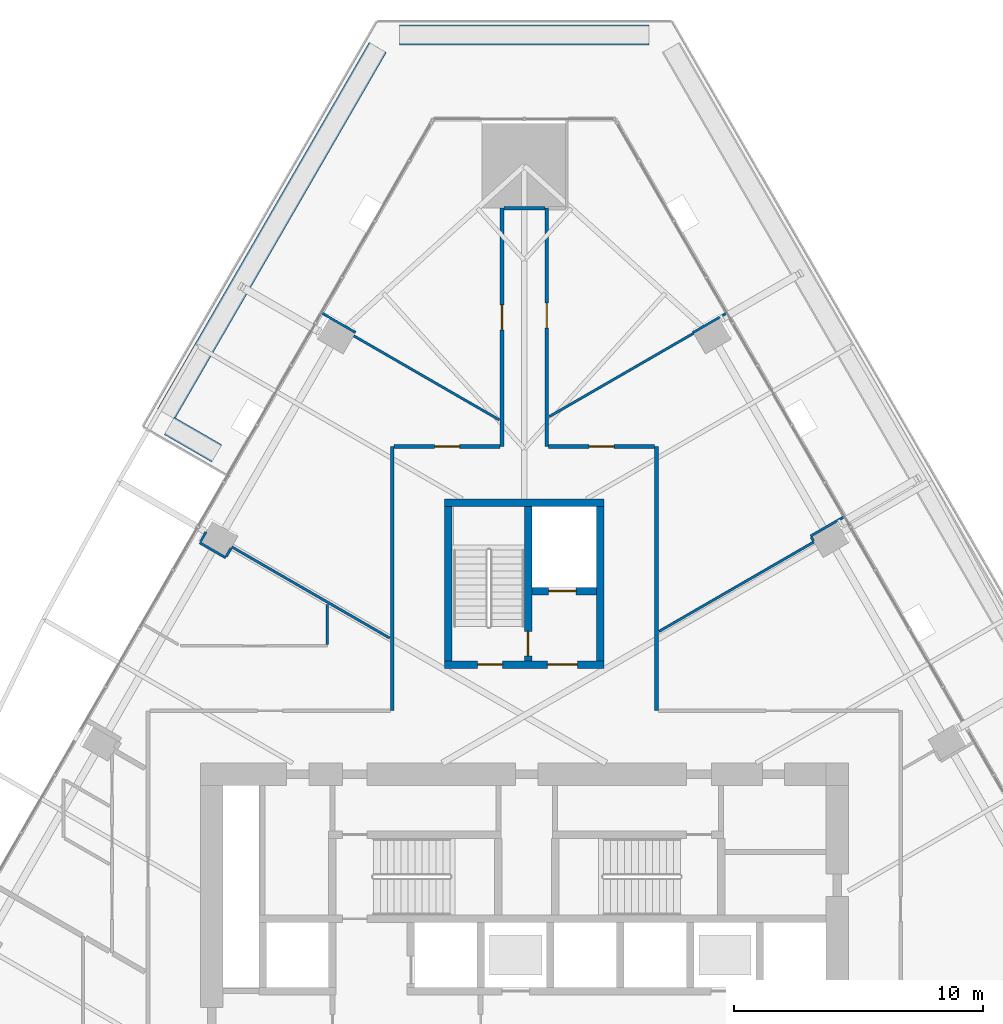
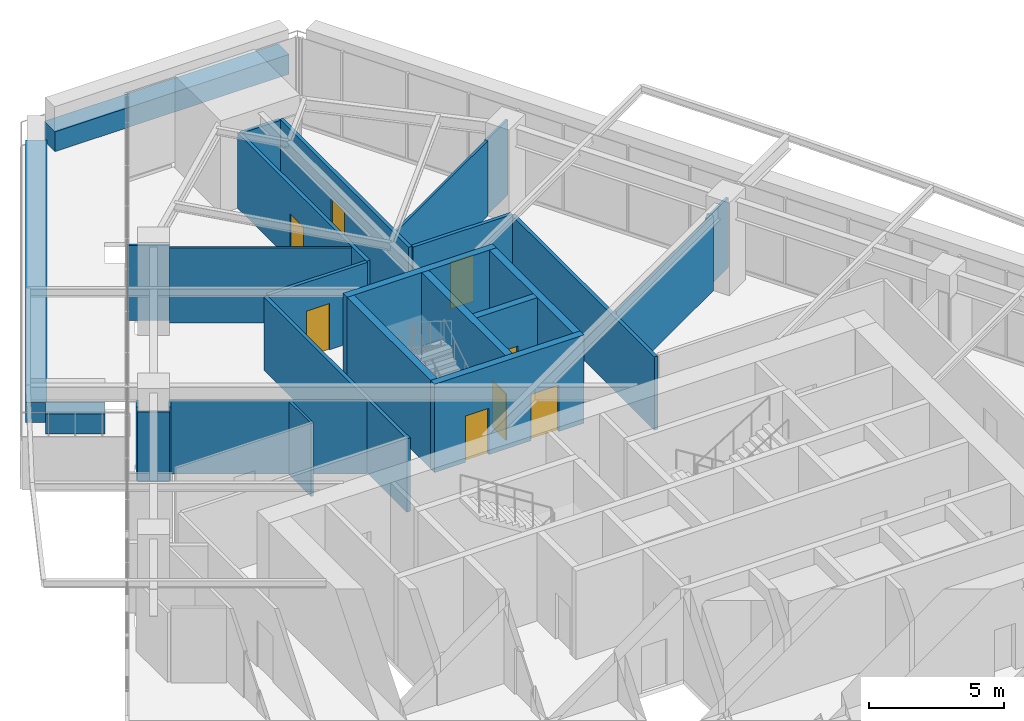
# One storey, part 24 of 29: 28 walls, 8 doors, 8 openings.
"""IFC4 building model written with IfcOpenShell, lengths in metres."""

import ifcopenshell
import ifcopenshell.guid

model = None  # the IFC model being written
_history = None  # IfcOwnerHistory: only IFC2X3 demands one
_inside = {}  # id of a spatial element -> (the spatial element, [elements in it])
_under = {}  # id of a project, library or spatial element -> (it, [spatial elements below it])
_declared = {}  # id of a project -> (the project, [libraries it declares])
_typed = {}  # id of a type object -> (the type object, [elements of that type])
_made_of = {}  # id of a material, layer set ... -> (it, [elements and type objects made of it])


def new_model(schema):
    """Start an empty IFC model of exactly this schema.

    Asked for "IFC4X3", IfcOpenShell would pick the latest addendum, in which some entities
    have other attributes; the version numbers below select the first issue.
    IFC2X3 requires an IfcOwnerHistory on every rooted entity: one is made here for all.
    """
    global model, _history
    if schema == "IFC4X3":
        model = ifcopenshell.file(schema_version=(4, 3, 0, 0))
    else:
        model = ifcopenshell.file(schema=schema)
    _inside.clear()
    _under.clear()
    _declared.clear()
    _typed.clear()
    _made_of.clear()
    _history = None
    if model.schema == "IFC2X3":
        org = make("IfcOrganization", Name="unknown")
        user = make(
            "IfcPersonAndOrganization",
            ThePerson=make("IfcPerson", FamilyName="unknown"),
            TheOrganization=org,
        )
        app = make(
            "IfcApplication",
            ApplicationDeveloper=org,
            Version="unknown",
            ApplicationFullName="unknown",
            ApplicationIdentifier="unknown",
        )
        _history = make(
            "IfcOwnerHistory",
            OwningUser=user,
            OwningApplication=app,
            ChangeAction="ADDED",
            CreationDate=0,
        )
    return model


def make(cls, **values):
    """One entity of the class cls with the attributes given. An attribute that is None is left unset."""
    return model.create_entity(
        cls, **{name: value for name, value in values.items() if value is not None}
    )


def rooted(cls, **values):
    """An entity with a GlobalId (a new one), such as an element, a storey or a relation."""
    return make(cls, GlobalId=ifcopenshell.guid.new(), OwnerHistory=_history, **values)


def si_unit(unit_type, name, prefix=None):
    """IfcSIUnit, for example si_unit("LENGTHUNIT", "METRE", prefix="MILLI")."""
    return make("IfcSIUnit", UnitType=unit_type, Prefix=prefix, Name=name)


def assignment(units):
    """IfcUnitAssignment: the units of a project."""
    return None if units is None else make("IfcUnitAssignment", Units=units)


def point(xyz):
    """IfcCartesianPoint."""
    return None if xyz is None else make("IfcCartesianPoint", Coordinates=xyz)


def direction(xyz):
    """IfcDirection."""
    return None if xyz is None else make("IfcDirection", DirectionRatios=xyz)


def frame(location, z_axis=None, x_axis=None):
    """IfcAxis2Placement3D, a coordinate frame: its origin and axes. An axis left out is left unset."""
    return make(
        "IfcAxis2Placement3D",
        Location=point(location),
        Axis=direction(z_axis),
        RefDirection=direction(x_axis),
    )


def frame_2d(location, x_axis=None):
    """IfcAxis2Placement2D, a coordinate frame in the plane: its origin and x axis."""
    return make(
        "IfcAxis2Placement2D", Location=point(location), RefDirection=direction(x_axis)
    )


def origin():
    """The frame at (0, 0, 0) with its axes left unset."""
    return frame((0.0, 0.0, 0.0))


def place(relative_to, where):
    """IfcLocalPlacement: puts the frame where relative to a parent placement (None: the world)."""
    return make(
        "IfcLocalPlacement", PlacementRelTo=relative_to, RelativePlacement=where
    )


def context(
    kind, dimensions, precision=None, world=None, true_north=None, identifier=None
):
    """IfcGeometricRepresentationContext, for example the 3D "Model" context."""
    return make(
        "IfcGeometricRepresentationContext",
        ContextIdentifier=identifier,
        ContextType=kind,
        CoordinateSpaceDimension=dimensions,
        Precision=precision,
        WorldCoordinateSystem=world,
        TrueNorth=true_north,
    )


def subcontext(parent, identifier, kind, view, scale=None):
    """IfcGeometricRepresentationSubContext, for example "Body" below "Model"."""
    return make(
        "IfcGeometricRepresentationSubContext",
        ContextIdentifier=identifier,
        ContextType=kind,
        ParentContext=parent,
        TargetScale=scale,
        TargetView=view,
    )


def project(units=None, contexts=None):
    """IfcProject with its units and contexts."""
    return rooted(
        "IfcProject",
        Name="project",
        RepresentationContexts=contexts,
        UnitsInContext=assignment(units),
    )


def spatial(cls, under=None, at=None, **own):
    """A site, building, storey or space (cls), placed at a placement, below another one or the project."""
    s = rooted(cls, ObjectPlacement=at, **own)
    if under is not None:
        _under.setdefault(under.id(), (under, []))[1].append(s)
    return s


def profile(cls, at=None, kind="AREA", **sizes):
    """A parametric profile (cls). Its sizes go by their IFC names, for example OverallWidth=200.0."""
    return make(cls, ProfileType=kind, Position=at, **sizes)


def rectangle(**sizes):
    """IfcRectangleProfileDef."""
    return profile("IfcRectangleProfileDef", **sizes)


def extrude(swept, where, along, depth):
    """IfcExtrudedAreaSolid: the profile swept, set in the frame where, extruded along a direction by depth."""
    return make(
        "IfcExtrudedAreaSolid",
        SweptArea=swept,
        Position=where,
        ExtrudedDirection=direction(along),
        Depth=depth,
    )


def shape(context_of_items, identifier, shape_type, items):
    """IfcShapeRepresentation: the items that make up one representation, for example the "Body"."""
    return make(
        "IfcShapeRepresentation",
        ContextOfItems=context_of_items,
        RepresentationIdentifier=identifier,
        RepresentationType=shape_type,
        Items=items,
    )


def material(Name=None, Category=None):
    """IfcMaterial."""
    return make("IfcMaterial", Name=Name, Category=Category)


def layer(
    of_material, thickness, ventilated=None, Name=None, Category=None, Priority=None
):
    """IfcMaterialLayer: one layer of a wall or slab, of a material (None: an air gap)."""
    return make(
        "IfcMaterialLayer",
        Material=of_material,
        LayerThickness=thickness,
        IsVentilated=ventilated,
        Name=Name,
        Category=Category,
        Priority=Priority,
    )


def layer_set(layers, Name=None):
    """IfcMaterialLayerSet."""
    return make("IfcMaterialLayerSet", MaterialLayers=layers, LayerSetName=Name)


def made_of(thing, what):
    """Note that an element or type object is made of a material, layer set ...; save() writes the relation."""
    if what is not None:
        _made_of.setdefault(what.id(), (what, []))[1].append(thing)
    return thing


def type_object(cls, material=None, **own):
    """A type object (cls), such as IfcWallType, which elements share."""
    return made_of(rooted(cls, **own), material)


def element(
    cls,
    number,
    at=None,
    inside=None,
    cuts=None,
    type_object=None,
    material=None,
    context=None,
    identifier="Body",
    shape_type=None,
    held_by="IfcProductDefinitionShape",
    body=None,
    shapes=None,
    **own,
):
    """One element of the class cls, such as IfcWall. Its Tag is "e" and its number.

    at: its placement. inside: the storey or other place that contains it. cuts: it is an
    opening in that element (IfcRelVoidsElement). A single representation is given by context,
    identifier, shape_type and body (its items); several are given by shapes. held_by: the class
    of the entity that holds the representations. save() writes the other relations.
    """
    e = rooted(cls, Tag="e%d" % number, ObjectPlacement=at, **own)
    if body is not None:
        shapes = [shape(context, identifier, shape_type, body)]
    if shapes is not None:
        e.Representation = make(held_by, Representations=shapes)
    if inside is not None:
        _inside.setdefault(inside.id(), (inside, []))[1].append(e)
    if cuts is not None:
        rooted(
            "IfcRelVoidsElement", RelatingBuildingElement=cuts, RelatedOpeningElement=e
        )
    if type_object is not None:
        _typed.setdefault(type_object.id(), (type_object, []))[1].append(e)
    return made_of(e, material)


def fill(opening, filler):
    """IfcRelFillsElement: the door or window that sits in an opening."""
    return rooted(
        "IfcRelFillsElement",
        RelatingOpeningElement=opening,
        RelatedBuildingElement=filler,
    )


def aggregate(whole, parts):
    """IfcRelAggregates: a whole, such as a stair, and the parts it consists of."""
    return rooted("IfcRelAggregates", RelatingObject=whole, RelatedObjects=parts)


def save(model, path):
    """Write the relations noted so far, then the file.

    IfcRelAggregates (storeys below a building ...), IfcRelContainedInSpatialStructure (elements
    in a storey), IfcRelDefinesByType, IfcRelAssociatesMaterial and IfcRelDeclares: one each for
    every whole, place, type object, material and project.
    """
    for whole, parts in _under.values():
        aggregate(whole, parts)
    for where, things in _inside.values():
        rooted(
            "IfcRelContainedInSpatialStructure",
            RelatedElements=things,
            RelatingStructure=where,
        )
    for kind, things in _typed.values():
        rooted("IfcRelDefinesByType", RelatedObjects=things, RelatingType=kind)
    for what, things in _made_of.values():
        rooted("IfcRelAssociatesMaterial", RelatedObjects=things, RelatingMaterial=what)
    for by, libraries in _declared.values():
        rooted("IfcRelDeclares", RelatingContext=by, RelatedDefinitions=libraries)
    model.write(path)


model = new_model("IFC4")

# Units and contexts
model_context = context("Model", 3, precision=1e-05, world=origin(), true_north=direction((0.0, 1.0)))
body_context = subcontext(model_context, "Body", "Model", "MODEL_VIEW")
ifc_project = project(units=[si_unit("LENGTHUNIT", "METRE"), si_unit("AREAUNIT", "SQUARE_METRE"), si_unit("VOLUMEUNIT", "CUBIC_METRE"), si_unit("PLANEANGLEUNIT", "RADIAN"), si_unit("MASSUNIT", "GRAM", prefix="KILO")], contexts=[model_context])

# Site, building, storey
site_placement = place(None, origin())
site = spatial("IfcSite", under=ifc_project, at=site_placement, CompositionType="ELEMENT")
building_placement = place(site_placement, origin())
building = spatial("IfcBuilding", under=site, at=building_placement, Name="Firuza Gate Tower and Library", CompositionType="ELEMENT")
storey_placement = place(building_placement, frame((0.0, 0.0, 82.0)))
storey = spatial("IfcBuildingStorey", under=building, at=storey_placement, Name="L18", CompositionType="ELEMENT", Elevation=82.0)

# Wall, openings, doors
ifc_material_1 = material(Name="Concrete C80/95", Category="concrete")
ifc_layer_1 = layer(ifc_material_1, 0.300048828125)
ifc_layer_set_1 = layer_set([ifc_layer_1], Name="Core wall 300 C80/95")
wall_type_1 = type_object("IfcWallType", Name="Core wall 300 C80/95", PredefinedType="SHEAR", material=ifc_layer_set_1)
wall_1_placement = place(storey_placement, frame((71.800048828125, 87.949951171875, 0.0), z_axis=(0.0, 0.0, 1.0), x_axis=(1.0, 0.0, 0.0)))
wall_1 = element("IfcWall", 1, at=wall_1_placement, inside=storey, type_object=wall_type_1, Name="Core wall L18 34", PredefinedType="SHEAR", context=body_context, shape_type="SweptSolid", body=[
    extrude(rectangle(XDim=6.39990234375, YDim=0.300048828125, at=frame_2d((3.199951171875, 0.0))), origin(), (0.0, 0.0, 1.0), 4.0),
])
opening_1_placement = place(wall_1_placement, frame((1.324951171875, 0.0, 0.0)))
opening_1 = element("IfcOpeningElement", 2, at=opening_1_placement, cuts=wall_1, Name="Opening L18-K17", PredefinedType="OPENING", context=body_context, shape_type="SweptSolid", body=[
    extrude(rectangle(XDim=1.0, YDim=2.10009765625, at=frame_2d((0.5, 1.050048828125))), frame((0.0, 0.16015625, 0.0), z_axis=(0.0, -1.0, 0.0), x_axis=(1.0, 0.0, 0.0)), (0.0, 0.0, 1.0), 0.320068359375),
])
opening_2_placement = place(wall_1_placement, frame((4.125, 0.0, 0.0)))
opening_2 = element("IfcOpeningElement", 3, at=opening_2_placement, cuts=wall_1, Name="Opening L18-K19", PredefinedType="OPENING", context=body_context, shape_type="SweptSolid", body=[
    extrude(rectangle(XDim=1.199951171875, YDim=2.10009765625, at=frame_2d((0.60009765625, 1.050048828125))), frame((0.0, 0.16015625, 0.0), z_axis=(0.0, -1.0, 0.0), x_axis=(1.0, 0.0, 0.0)), (0.0, 0.0, 1.0), 0.320068359375),
])
ifc_material_2 = material(Name="Steel", Category="steel")
door_type_1 = type_object("IfcDoorType", Name="Fire door 1000x2100 FD90", OperationType="NOTDEFINED", PredefinedType="DOOR", material=ifc_material_2)
door_1_placement = place(opening_1_placement, origin())
door_1 = element("IfcDoor", 4, at=door_1_placement, inside=storey, type_object=door_type_1, Name="Door L18-K17", OperationType="SINGLE_SWING_RIGHT", OverallHeight=2.10009765625, OverallWidth=1.0, PredefinedType="DOOR", context=body_context, shape_type="SweptSolid", body=[
    extrude(rectangle(XDim=1.0, YDim=2.10009765625, at=frame_2d((0.5, 1.050048828125))), frame((0.0, 0.02490234375, 0.0), z_axis=(0.0, -1.0, 0.0), x_axis=(1.0, 0.0, 0.0)), (0.0, 0.0, 1.0), 0.050048828125),
])
fill(opening_1, door_1)
ifc_material_3 = material(Name="Steel", Category="steel")
door_type_2 = type_object("IfcDoorType", Name="Fire door 1200x2100 FD30S", OperationType="NOTDEFINED", PredefinedType="DOOR", material=ifc_material_3)
door_2_placement = place(opening_2_placement, origin())
door_2 = element("IfcDoor", 5, at=door_2_placement, inside=storey, type_object=door_type_2, Name="Door L18-K19", OperationType="SINGLE_SWING_RIGHT", OverallHeight=2.10009765625, OverallWidth=1.199951171875, PredefinedType="DOOR", context=body_context, shape_type="SweptSolid", body=[
    extrude(rectangle(XDim=1.199951171875, YDim=2.10009765625, at=frame_2d((0.60009765625, 1.050048828125))), frame((0.0, 0.02490234375, 0.0), z_axis=(0.0, -1.0, 0.0), x_axis=(1.0, 0.0, 0.0)), (0.0, 0.0, 1.0), 0.050048828125),
])
fill(opening_2, door_2)

# Walls
wall_2_placement = place(storey_placement, frame((71.800048828125, 94.449951171875, 0.0), z_axis=(0.0, 0.0, 1.0), x_axis=(1.0, 0.0, 0.0)))
element("IfcWall", 6, at=wall_2_placement, inside=storey, type_object=wall_type_1, Name="Core wall L18 35", PredefinedType="SHEAR", context=body_context, shape_type="SweptSolid", body=[
    extrude(rectangle(XDim=6.39990234375, YDim=0.300048828125, at=frame_2d((3.199951171875, 0.0))), origin(), (0.0, 0.0, 1.0), 4.0),
])
for number, where, z_axis, x_axis, name in (
    (7, (71.949951171875, 88.10009765625, 0.0), (0.0, 0.0, 1.0), (0.0, 1.0, 0.0), "Core wall L18 36"),
    (8, (78.050048828125, 88.10009765625, 0.0), (0.0, 0.0, 1.0), (0.0, 1.0, 0.0), "Core wall L18 37"),
):
    element("IfcWall", number, at=place(storey_placement, frame(where, z_axis=z_axis, x_axis=x_axis)), inside=storey, type_object=wall_type_1, Name=name, PredefinedType="SHEAR", context=body_context, shape_type="SweptSolid", body=[
        extrude(rectangle(XDim=6.199951171875, YDim=0.300048828125, at=frame_2d((3.10009765625, 0.0))), origin(), (0.0, 0.0, 1.0), 4.0),
    ])

# Wall, opening, door
wall_3_placement = place(storey_placement, frame((75.300048828125, 90.89990234375, 0.0), z_axis=(0.0, 0.0, 1.0), x_axis=(1.0, 0.0, 0.0)))
wall_3 = element("IfcWall", 9, at=wall_3_placement, inside=storey, type_object=wall_type_1, Name="Core wall L18 38", PredefinedType="SHEAR", context=body_context, shape_type="SweptSolid", body=[
    extrude(rectangle(XDim=2.599853515625, YDim=0.300048828125, at=frame_2d((1.2998046875, 0.0))), origin(), (0.0, 0.0, 1.0), 4.0),
])
opening_3_placement = place(wall_3_placement, frame((0.675048828125, 0.0, 0.0)))
opening_3 = element("IfcOpeningElement", 10, at=opening_3_placement, cuts=wall_3, Name="Opening LD-SV1-L18", PredefinedType="OPENING", context=body_context, shape_type="SweptSolid", body=[
    extrude(rectangle(XDim=1.10009765625, YDim=2.10009765625, at=frame_2d((0.550048828125, 1.050048828125))), frame((0.0, 0.16015625, 0.0), z_axis=(0.0, -1.0, 0.0), x_axis=(1.0, 0.0, 0.0)), (0.0, 0.0, 1.0), 0.320068359375),
])
ifc_material_4 = material(Name="Stainless steel", Category="steel")
door_type_3 = type_object("IfcDoorType", Name="Lift landing door 1100x2100", OperationType="DOUBLE_DOOR_SLIDING", PredefinedType="DOOR", material=ifc_material_4)
door_3_placement = place(opening_3_placement, origin())
door_3 = element("IfcDoor", 11, at=door_3_placement, inside=storey, type_object=door_type_3, Name="Landing door SV1 L18", OperationType="DOUBLE_DOOR_SLIDING", OverallHeight=2.10009765625, OverallWidth=1.10009765625, PredefinedType="DOOR", context=body_context, shape_type="SweptSolid", body=[
    extrude(rectangle(XDim=1.10009765625, YDim=2.10009765625, at=frame_2d((0.550048828125, 1.050048828125))), frame((0.0, 0.02490234375, 0.0), z_axis=(0.0, -1.0, 0.0), x_axis=(1.0, 0.0, 0.0)), (0.0, 0.0, 1.0), 0.050048828125),
])
fill(opening_3, door_3)

wall_4_placement = place(storey_placement, frame((75.14990234375, 88.10009765625, 0.0), z_axis=(0.0, 0.0, 1.0), x_axis=(0.0, 1.0, 0.0)))
wall_4 = element("IfcWall", 12, at=wall_4_placement, inside=storey, type_object=wall_type_1, Name="Core wall L18 39", PredefinedType="SHEAR", context=body_context, shape_type="SweptSolid", body=[
    extrude(rectangle(XDim=6.199951171875, YDim=0.300048828125, at=frame_2d((3.10009765625, 0.0))), origin(), (0.0, 0.0, 1.0), 4.0),
])
opening_4_placement = place(wall_4_placement, frame((0.18505859375, 0.0, 0.0)))
opening_4 = element("IfcOpeningElement", 13, at=opening_4_placement, cuts=wall_4, Name="Opening L18-K18", PredefinedType="OPENING", context=body_context, shape_type="SweptSolid", body=[
    extrude(rectangle(XDim=1.0, YDim=2.10009765625, at=frame_2d((0.5, 1.050048828125))), frame((0.0, 0.16015625, 0.0), z_axis=(0.0, -1.0, 0.0), x_axis=(1.0, 0.0, 0.0)), (0.0, 0.0, 1.0), 0.320068359375),
])
door_4_placement = place(opening_4_placement, origin())
door_4 = element("IfcDoor", 14, at=door_4_placement, inside=storey, type_object=door_type_1, Name="Door L18-K18", OperationType="SINGLE_SWING_LEFT", OverallHeight=2.10009765625, OverallWidth=1.0, PredefinedType="DOOR", context=body_context, shape_type="SweptSolid", body=[
    extrude(rectangle(XDim=1.0, YDim=2.10009765625, at=frame_2d((0.5, 1.050048828125))), frame((0.0, 0.02490234375, 0.0), z_axis=(0.0, -1.0, 0.0), x_axis=(1.0, 0.0, 0.0)), (0.0, 0.0, 1.0), 0.050048828125),
])
fill(opening_4, door_4)

ifc_material_5 = material(Name="Gypsum board partition")
ifc_layer_2 = layer(ifc_material_5, 0.14990234375)
ifc_layer_set_2 = layer_set([ifc_layer_2], Name="Corridor wall 150 double board on steel studs")
wall_type_2 = type_object("IfcWallType", Name="Corridor wall 150 double board on steel studs", PredefinedType="PARTITIONING", material=ifc_layer_set_2)
wall_5_placement = place(storey_placement, frame((74.02490234375, 96.699951171875, 0.0), z_axis=(0.0, 0.0, 1.0), x_axis=(-1.0, 0.0, 0.0)))
wall_5 = element("IfcWall", 15, at=wall_5_placement, inside=storey, type_object=wall_type_2, Name="f:L18:w008", PredefinedType="PARTITIONING", context=body_context, shape_type="SweptSolid", body=[
    extrude(rectangle(XDim=4.24951171875, YDim=0.14990234375, at=frame_2d((2.124755859375, 0.0))), origin(), (0.0, 0.0, 1.0), 3.39990234375),
])
opening_5_placement = place(wall_5_placement, frame((1.624755859375, 0.0, 0.0)))
opening_5 = element("IfcOpeningElement", 16, at=opening_5_placement, cuts=wall_5, Name="Opening L18-13", PredefinedType="OPENING", context=body_context, shape_type="SweptSolid", body=[
    extrude(rectangle(XDim=1.0, YDim=2.10009765625, at=frame_2d((0.5, 1.050048828125))), frame((0.0, 0.0849609375, 0.0), z_axis=(0.0, -1.0, 0.0), x_axis=(1.0, 0.0, 0.0)), (0.0, 0.0, 1.0), 0.169921875),
])
ifc_material_6 = material(Name="Steel door and timber leaf", Category="steel")
door_type_4 = type_object("IfcDoorType", Name="Fire door 1000 x 2100 steel frame, timber leaf", OperationType="NOTDEFINED", PredefinedType="DOOR", material=ifc_material_6)
door_5_placement = place(opening_5_placement, origin())
door_5 = element("IfcDoor", 17, at=door_5_placement, inside=storey, type_object=door_type_4, Name="f:L18:d013", OperationType="SINGLE_SWING_LEFT", OverallHeight=2.10009765625, OverallWidth=1.0, PredefinedType="DOOR", context=body_context, shape_type="SweptSolid", body=[
    extrude(rectangle(XDim=1.0, YDim=2.10009765625, at=frame_2d((0.5, 1.050048828125))), frame((0.0, 0.02490234375, 0.0), z_axis=(0.0, -1.0, 0.0), x_axis=(1.0, 0.0, 0.0)), (0.0, 0.0, 1.0), 0.050048828125),
])
fill(opening_5, door_5)

wall_6_placement = place(storey_placement, frame((80.224609375, 96.699951171875, 0.0), z_axis=(0.0, 0.0, 1.0), x_axis=(-1.0, 0.0, 0.0)))
wall_6 = element("IfcWall", 18, at=wall_6_placement, inside=storey, type_object=wall_type_2, Name="f:L18:w009", PredefinedType="PARTITIONING", context=body_context, shape_type="SweptSolid", body=[
    extrude(rectangle(XDim=4.24951171875, YDim=0.14990234375, at=frame_2d((2.124755859375, 0.0))), origin(), (0.0, 0.0, 1.0), 3.39990234375),
])
opening_6_placement = place(wall_6_placement, frame((1.624755859375, 0.0, 0.0)))
opening_6 = element("IfcOpeningElement", 19, at=opening_6_placement, cuts=wall_6, Name="Opening L18-14", PredefinedType="OPENING", context=body_context, shape_type="SweptSolid", body=[
    extrude(rectangle(XDim=1.0, YDim=2.10009765625, at=frame_2d((0.5, 1.050048828125))), frame((0.0, 0.0849609375, 0.0), z_axis=(0.0, -1.0, 0.0), x_axis=(1.0, 0.0, 0.0)), (0.0, 0.0, 1.0), 0.169921875),
])
door_6_placement = place(opening_6_placement, origin())
door_6 = element("IfcDoor", 20, at=door_6_placement, inside=storey, type_object=door_type_4, Name="f:L18:d014", OperationType="SINGLE_SWING_RIGHT", OverallHeight=2.10009765625, OverallWidth=1.0, PredefinedType="DOOR", context=body_context, shape_type="SweptSolid", body=[
    extrude(rectangle(XDim=1.0, YDim=2.10009765625, at=frame_2d((0.5, 1.050048828125))), frame((0.0, 0.02490234375, 0.0), z_axis=(0.0, -1.0, 0.0), x_axis=(1.0, 0.0, 0.0)), (0.0, 0.0, 1.0), 0.050048828125),
])
fill(opening_6, door_6)

# Walls
wall_7_placement = place(storey_placement, frame((74.175537109375, 106.26611328125, 0.0), z_axis=(0.0, 0.0, 1.0), x_axis=(1.0, 0.0, 0.0)))
element("IfcWall", 21, at=wall_7_placement, inside=storey, type_object=wall_type_2, Name="f:L18:w010", PredefinedType="PARTITIONING", context=body_context, shape_type="SweptSolid", body=[
    extrude(rectangle(XDim=1.6494140625, YDim=0.14990234375, at=frame_2d((0.82470703125, 0.0))), origin(), (0.0, 0.0, 1.0), 3.39697265625),
])
wall_8_placement = place(storey_placement, frame((80.300048828125, 86.10009765625, 0.0), z_axis=(0.0, 0.0, 1.0), x_axis=(0.0, 1.0, 0.0)))
element("IfcWall", 22, at=wall_8_placement, inside=storey, type_object=wall_type_2, Name="f:L18:w035", PredefinedType="PARTITIONING", context=body_context, shape_type="SweptSolid", body=[
    extrude(rectangle(XDim=10.599365234375, YDim=0.14990234375, at=frame_2d((5.2998046875, 0.0))), origin(), (0.0, 0.0, 1.0), 3.322021484375),
])

# Wall, opening, door
wall_9_placement = place(storey_placement, frame((75.89990234375, 106.26611328125, 0.0), z_axis=(0.0, 0.0, 1.0), x_axis=(0.0, -1.0, 0.0)))
wall_9 = element("IfcWall", 23, at=wall_9_placement, inside=storey, type_object=wall_type_2, Name="f:L18:w039", PredefinedType="PARTITIONING", context=body_context, shape_type="SweptSolid", body=[
    extrude(rectangle(XDim=9.566162109375, YDim=0.14990234375, at=frame_2d((4.783203125, 0.0))), origin(), (0.0, 0.0, 1.0), 3.39990234375),
])
opening_7_placement = place(wall_9_placement, frame((3.813232421875, 0.0, 0.0)))
opening_7 = element("IfcOpeningElement", 24, at=opening_7_placement, cuts=wall_9, Name="Opening L18-23", PredefinedType="OPENING", context=body_context, shape_type="SweptSolid", body=[
    extrude(rectangle(XDim=1.0, YDim=2.10009765625, at=frame_2d((0.5, 1.050048828125))), frame((0.0, 0.0849609375, 0.0), z_axis=(0.0, -1.0, 0.0), x_axis=(1.0, 0.0, 0.0)), (0.0, 0.0, 1.0), 0.169921875),
])
door_7_placement = place(opening_7_placement, origin())
door_7 = element("IfcDoor", 25, at=door_7_placement, inside=storey, type_object=door_type_4, Name="f:L18:d023", OperationType="SINGLE_SWING_LEFT", OverallHeight=2.10009765625, OverallWidth=1.0, PredefinedType="DOOR", context=body_context, shape_type="SweptSolid", body=[
    extrude(rectangle(XDim=1.0, YDim=2.10009765625, at=frame_2d((0.5, 1.050048828125))), frame((0.0, 0.02490234375, 0.0), z_axis=(0.0, -1.0, 0.0), x_axis=(1.0, 0.0, 0.0)), (0.0, 0.0, 1.0), 0.050048828125),
])
fill(opening_7, door_7)

wall_10_placement = place(storey_placement, frame((74.10009765625, 96.699951171875, 0.0), z_axis=(0.0, 0.0, 1.0), x_axis=(0.0, 1.0, 0.0)))
wall_10 = element("IfcWall", 26, at=wall_10_placement, inside=storey, type_object=wall_type_2, Name="f:L18:w041", PredefinedType="PARTITIONING", context=body_context, shape_type="SweptSolid", body=[
    extrude(rectangle(XDim=9.565673828125, YDim=0.14990234375, at=frame_2d((4.78271484375, 0.0))), origin(), (0.0, 0.0, 1.0), 3.39990234375),
])
opening_8_placement = place(wall_10_placement, frame((4.686279296875, 0.0, 0.0)))
opening_8 = element("IfcOpeningElement", 27, at=opening_8_placement, cuts=wall_10, Name="Opening L18-24", PredefinedType="OPENING", context=body_context, shape_type="SweptSolid", body=[
    extrude(rectangle(XDim=1.0, YDim=2.10009765625, at=frame_2d((0.5, 1.050048828125))), frame((0.0, 0.0849609375, 0.0), z_axis=(0.0, -1.0, 0.0), x_axis=(1.0, 0.0, 0.0)), (0.0, 0.0, 1.0), 0.169921875),
])
door_8_placement = place(opening_8_placement, origin())
door_8 = element("IfcDoor", 28, at=door_8_placement, inside=storey, type_object=door_type_4, Name="f:L18:d024", OperationType="SINGLE_SWING_LEFT", OverallHeight=2.10009765625, OverallWidth=1.0, PredefinedType="DOOR", context=body_context, shape_type="SweptSolid", body=[
    extrude(rectangle(XDim=1.0, YDim=2.10009765625, at=frame_2d((0.5, 1.050048828125))), frame((0.0, 0.02490234375, 0.0), z_axis=(0.0, -1.0, 0.0), x_axis=(1.0, 0.0, 0.0)), (0.0, 0.0, 1.0), 0.050048828125),
])
fill(opening_8, door_8)

# Walls
wall_11_placement = place(storey_placement, frame((69.699951171875, 86.10009765625, 0.0), z_axis=(0.0, 0.0, 1.0), x_axis=(0.0, 1.0, 0.0)))
element("IfcWall", 29, at=wall_11_placement, inside=storey, type_object=wall_type_2, Name="f:L18:w043", PredefinedType="PARTITIONING", context=body_context, shape_type="SweptSolid", body=[
    extrude(rectangle(XDim=10.599365234375, YDim=0.14990234375, at=frame_2d((5.2998046875, 0.0))), origin(), (0.0, 0.0, 1.0), 3.322021484375),
])
ifc_material_7 = material(Name="Gypsum board partition")
ifc_layer_3 = layer(ifc_material_7, 0.10009765625)
ifc_layer_set_3 = layer_set([ifc_layer_3], Name="Partition 100 gypsum board on steel studs")
wall_type_3 = type_object("IfcWallType", Name="Partition 100 gypsum board on steel studs", PredefinedType="PARTITIONING", material=ifc_layer_set_3)
wall_12_placement = place(storey_placement, frame((80.401123046875, 89.27978515625, 0.0), z_axis=(0.0, 0.0, 1.0), x_axis=(0.866017489163, 0.500013708276, 0.0)))
element("IfcWall", 30, at=wall_12_placement, inside=storey, type_object=wall_type_3, Name="f:L18:w023", PredefinedType="PARTITIONING", context=body_context, shape_type="SweptSolid", body=[
    extrude(rectangle(XDim=7.183349609375, YDim=0.10009765625, at=frame_2d((3.591796875, 0.0))), origin(), (0.0, 0.0, 1.0), 3.39990234375),
])
wall_13_placement = place(storey_placement, frame((86.487548828125, 93.10546875, 0.0), z_axis=(0.0, 0.0, 1.0), x_axis=(0.866018739521, 0.500011542666, 0.0)))
element("IfcWall", 31, at=wall_13_placement, inside=storey, type_object=wall_type_3, Name="f:L18:w024", PredefinedType="PARTITIONING", context=body_context, shape_type="SweptSolid", body=[
    extrude(rectangle(XDim=1.5595703125, YDim=0.10009765625, at=frame_2d((0.77978515625, 0.0))), origin(), (0.0, 0.0, 1.0), 3.1650390625),
])
wall_14_placement = place(storey_placement, frame((76.001220703125, 97.90087890625, 0.0), z_axis=(0.0, 0.0, 1.0), x_axis=(0.866029244915, 0.499993346908, 0.0)))
element("IfcWall", 32, at=wall_14_placement, inside=storey, type_object=wall_type_3, Name="f:L18:w025", PredefinedType="PARTITIONING", context=body_context, shape_type="SweptSolid", body=[
    extrude(rectangle(XDim=6.68310546875, YDim=0.10009765625, at=frame_2d((3.341552734375, 0.0))), origin(), (0.0, 0.0, 1.0), 3.39990234375),
])
wall_15_placement = place(storey_placement, frame((81.76904296875, 101.277099609375, 0.0), z_axis=(0.0, 0.0, 1.0), x_axis=(0.866029224906, 0.499993381564, 0.0)))
element("IfcWall", 33, at=wall_15_placement, inside=storey, type_object=wall_type_3, Name="f:L18:w026", PredefinedType="PARTITIONING", context=body_context, shape_type="SweptSolid", body=[
    extrude(rectangle(XDim=1.56005859375, YDim=0.10009765625, at=frame_2d((0.780029296875, 0.0))), origin(), (0.0, 0.0, 1.0), 3.39990234375),
])
wall_16_placement = place(storey_placement, frame((63.037841796875, 92.28271484375, 0.0), z_axis=(0.0, 0.0, 1.0), x_axis=(0.500246304613, 0.865883153041, 0.0)))
element("IfcWall", 34, at=wall_16_placement, inside=storey, type_object=wall_type_3, Name="f:L18:w029", PredefinedType="PARTITIONING", context=body_context, shape_type="SweptSolid", body=[
    extrude(rectangle(XDim=0.389892578125, YDim=0.10009765625, at=frame_2d((0.19482421875, 0.0))), origin(), (0.0, 0.0, 1.0), 3.322021484375),
])
wall_17_placement = place(storey_placement, frame((62.002197265625, 92.888671875, 0.0), z_axis=(0.0, 0.0, 1.0), x_axis=(0.4997542532, 0.866167239284, 0.0)))
element("IfcWall", 35, at=wall_17_placement, inside=storey, type_object=wall_type_3, Name="f:L18:w030", PredefinedType="PARTITIONING", context=body_context, shape_type="SweptSolid", body=[
    extrude(rectangle(XDim=0.443115234375, YDim=0.10009765625, at=frame_2d((0.2216796875, 0.0))), origin(), (0.0, 0.0, 1.0), 3.322021484375),
])
wall_18_placement = place(storey_placement, frame((67.10009765625, 88.75, 0.0), z_axis=(0.0, 0.0, 1.0), x_axis=(0.0, 1.0, 0.0)))
element("IfcWall", 36, at=wall_18_placement, inside=storey, type_object=wall_type_3, Name="f:L18:w044", PredefinedType="PARTITIONING", context=body_context, shape_type="SweptSolid", body=[
    extrude(rectangle(XDim=1.619140625, YDim=0.10009765625, at=frame_2d((0.8095703125, 0.0))), origin(), (0.0, 0.0, 1.0), 3.322021484375),
])
wall_19_placement = place(storey_placement, frame((86.597412109375, 92.9150390625, 0.0), z_axis=(0.0, 0.0, 1.0), x_axis=(-0.500013496215, 0.866017611601, 0.0)))
element("IfcWall", 37, at=wall_19_placement, inside=storey, type_object=wall_type_3, Name="f:L18:w056", PredefinedType="PARTITIONING", context=body_context, shape_type="SweptSolid", body=[
    extrude(rectangle(XDim=0.16943359375, YDim=0.10009765625, at=frame_2d((0.084716796875, 0.0))), origin(), (0.0, 0.0, 1.0), 3.39990234375),
])
wall_20_placement = place(storey_placement, frame((68.23046875, 101.27734375, 0.0), z_axis=(0.0, 0.0, 1.0), x_axis=(-0.866018739521, 0.500011542666, 0.0)))
element("IfcWall", 38, at=wall_20_placement, inside=storey, type_object=wall_type_3, Name="f:L18:w058", PredefinedType="PARTITIONING", context=body_context, shape_type="SweptSolid", body=[
    extrude(rectangle(XDim=1.5595703125, YDim=0.10009765625, at=frame_2d((0.77978515625, 0.0))), origin(), (0.0, 0.0, 1.0), 3.39990234375),
])
wall_21_placement = place(storey_placement, frame((73.998779296875, 97.76806640625, 0.0), z_axis=(0.0, 0.0, 1.0), x_axis=(-0.866030773134, 0.499990699898, 0.0)))
element("IfcWall", 39, at=wall_21_placement, inside=storey, type_object=wall_type_3, Name="f:L18:w059", PredefinedType="PARTITIONING", context=body_context, shape_type="SweptSolid", body=[
    extrude(rectangle(XDim=6.749267578125, YDim=0.10009765625, at=frame_2d((3.37451171875, 0.0))), origin(), (0.0, 0.0, 1.0), 3.39990234375),
])
wall_22_placement = place(storey_placement, frame((69.598876953125, 89.01416015625, 0.0), z_axis=(0.0, 0.0, 1.0), x_axis=(-0.866016649877, 0.500015161905, 0.0)))
element("IfcWall", 40, at=wall_22_placement, inside=storey, type_object=wall_type_3, Name="f:L18:w060", PredefinedType="PARTITIONING", context=body_context, shape_type="SweptSolid", body=[
    extrude(rectangle(XDim=7.316162109375, YDim=0.10009765625, at=frame_2d((3.658203125, 0.0))), origin(), (0.0, 0.0, 1.0), 3.322021484375),
])
wall_23_placement = place(storey_placement, frame((63.012939453125, 92.2392578125, 0.0), z_axis=(0.0, 0.0, 1.0), x_axis=(-0.866006032174, 0.500033551112, 0.0)))
element("IfcWall", 41, at=wall_23_placement, inside=storey, type_object=wall_type_3, Name="f:L18:w061", PredefinedType="PARTITIONING", context=body_context, shape_type="SweptSolid", body=[
    extrude(rectangle(XDim=1.2001953125, YDim=0.10009765625, at=frame_2d((0.60009765625, 0.0))), origin(), (0.0, 0.0, 1.0), 3.1650390625),
])
ifc_material_8 = material(Name="Concrete C40/50", Category="concrete")
ifc_layer_4 = layer(ifc_material_8, 0.800048828125)
ifc_layer_set_4 = layer_set([ifc_layer_4], Name="Planter wall 800")
wall_type_4 = type_object("IfcWallType", Name="Planter wall 800", PredefinedType="SOLIDWALL", material=ifc_layer_set_4)
wall_24_placement = place(storey_placement, frame((80.009521484375, 113.21630859375, 0.0), z_axis=(0.0, 0.0, 1.0), x_axis=(-1.0, 0.0, 0.0)))
element("IfcWall", 42, at=wall_24_placement, inside=storey, type_object=wall_type_4, Name="PLANTER L18 4", PredefinedType="SOLIDWALL", context=body_context, shape_type="SweptSolid", body=[
    extrude(rectangle(XDim=10.01904296875, YDim=0.800048828125, at=frame_2d((5.009521484375, 0.0))), origin(), (0.0, 0.0, 1.0), 0.89990234375),
])
wall_25_placement = place(storey_placement, frame((69.116943359375, 112.7119140625, 0.0), z_axis=(0.0, 0.0, 1.0), x_axis=(-0.499999969101, -0.866025421624, 0.0)))
element("IfcWall", 43, at=wall_25_placement, inside=storey, type_object=wall_type_4, Name="PLANTER L18 5", PredefinedType="SOLIDWALL", context=body_context, shape_type="SweptSolid", body=[
    extrude(rectangle(XDim=16.98193359375, YDim=0.800048828125, at=frame_2d((8.490966796875, 0.0))), origin(), (0.0, 0.0, 1.0), 0.89990234375),
])
wall_26_placement = place(storey_placement, frame((60.754150390625, 97.527099609375, 0.0), z_axis=(0.0, 0.0, 1.0), x_axis=(0.866008176907, -0.50002983664, 0.0)))
element("IfcWall", 44, at=wall_26_placement, inside=storey, type_object=wall_type_4, Name="PLANTER L18 6", PredefinedType="SOLIDWALL", context=body_context, shape_type="SweptSolid", body=[
    extrude(rectangle(XDim=2.199951171875, YDim=0.800048828125, at=frame_2d((1.10009765625, 0.0))), origin(), (0.0, 0.0, 1.0), 0.89990234375),
])

save(model, "model.ifc")
